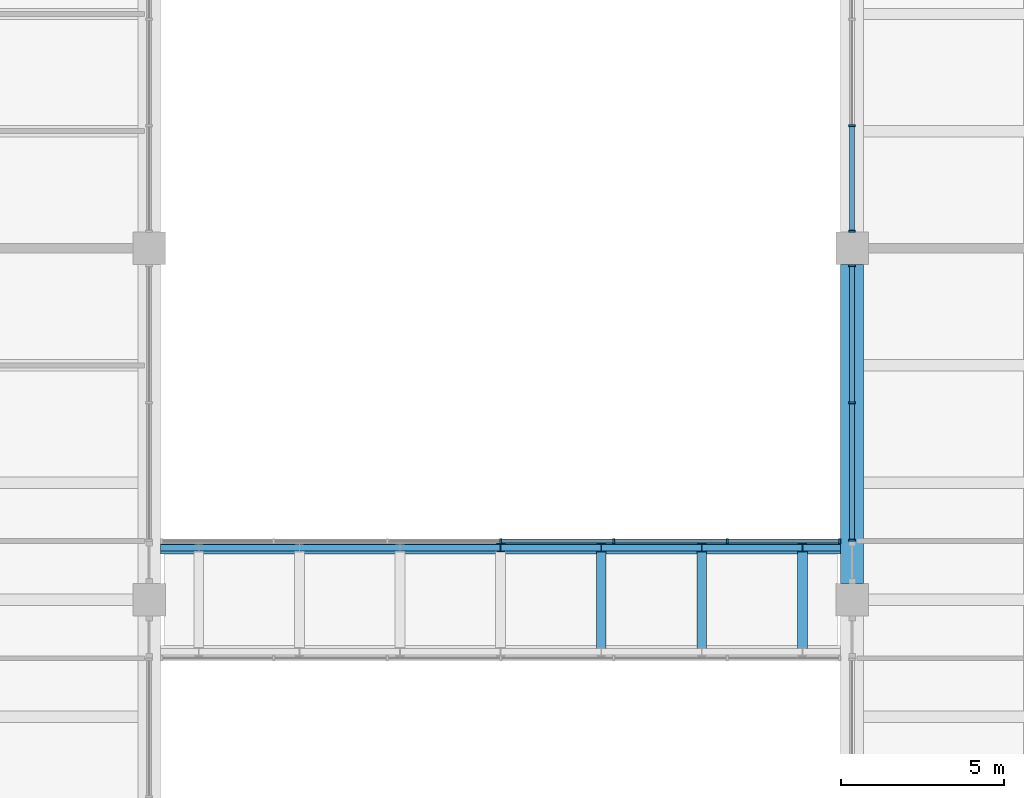
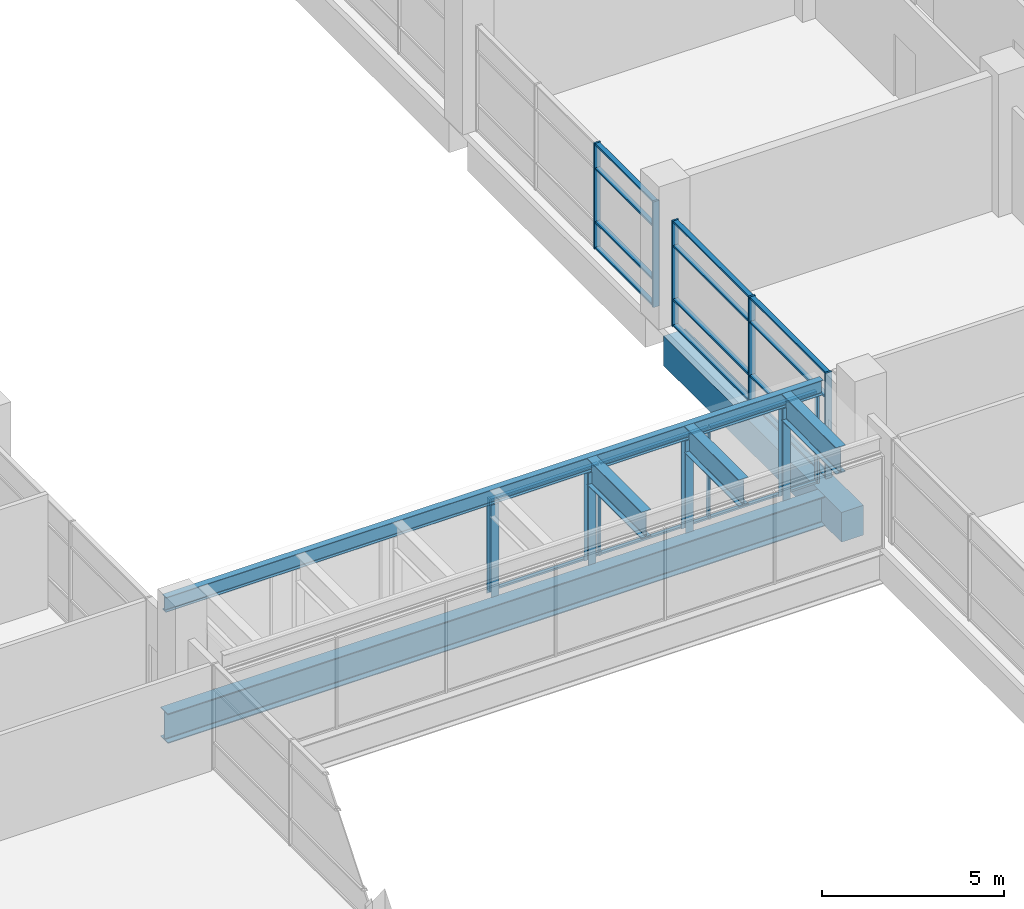
# One storey, part 13 of 35: 35 members, 2 beams, 3 elements without a shape of their own.
"""IFC4 building model written with IfcOpenShell, lengths in metres."""

from ifc_helpers import new_model, si_unit, direction, frame, origin, origin_2d, place, context, subcontext, project, spatial, rectangle, i_section, extrude, material, layer, layer_set, material_profile, profile_set, type_object, element, aggregate, save


model = new_model("IFC4")

# Units and contexts
model_context = context("Model", 3, precision=1e-05, world=origin(), true_north=direction((0.0, 1.0)))
body_context = subcontext(model_context, "Body", "Model", "MODEL_VIEW")
ifc_project = project(units=[si_unit("LENGTHUNIT", "METRE"), si_unit("AREAUNIT", "SQUARE_METRE"), si_unit("VOLUMEUNIT", "CUBIC_METRE"), si_unit("PLANEANGLEUNIT", "RADIAN"), si_unit("MASSUNIT", "GRAM", prefix="KILO")], contexts=[model_context])

# Site, building, storey
site_placement = place(None, origin())
site = spatial("IfcSite", under=ifc_project, at=site_placement, CompositionType="ELEMENT")
building_placement = place(site_placement, origin())
building = spatial("IfcBuilding", under=site, at=building_placement, Name="Basin Gate Institute", CompositionType="ELEMENT")
storey_placement = place(building_placement, frame((0.0, 0.0, 31.800048828125)))
storey = spatial("IfcBuildingStorey", under=building, at=storey_placement, Name="L06", CompositionType="ELEMENT", Elevation=31.800048828125)

# Curtain wall, members
ifc_material_1 = material(Name="Aluminium and glass curtain wall", Category="aluminium")
ifc_layer_1 = layer(ifc_material_1, 0.14990234375)
ifc_layer_set_1 = layer_set([ifc_layer_1], Name="Atrium curtain wall CW81")
curtain_wall_type_1 = type_object("IfcCurtainWallType", Name="Atrium curtain wall CW81", PredefinedType="NOTDEFINED", material=ifc_layer_set_1)
curtain_wall_1_placement = place(storey_placement, origin())
curtain_wall_1 = element("IfcCurtainWall", 1, at=curtain_wall_1_placement, inside=storey, type_object=curtain_wall_type_1, material=ifc_layer_set_1, Name="Bridge glazed enclosure L06 2", PredefinedType="NOTDEFINED")
ifc_material_2 = material(Name="Aluminium mullion", Category="aluminium")
ifc_material_profile_1 = material_profile(ifc_material_2, rectangle(XDim=0.159912109375, YDim=0.06005859375, at=origin_2d()), Name="Atrium mullion MU81 160 x 60")
ifc_profile_set_1 = profile_set([ifc_material_profile_1], Name="Aluminium mullion")
member_type_1 = type_object("IfcMemberType", Name="Atrium mullion MU81", PredefinedType="MULLION", material=ifc_profile_set_1)
member_1_placement = place(storey_placement, frame((90.0, 69.300048828125, 0.0), z_axis=(0.0, 0.0, 1.0), x_axis=(0.0, 1.0, 0.0)))
member_1 = element("IfcMember", 2, at=member_1_placement, type_object=member_type_1, material=ifc_profile_set_1, Name="CW81 mullion 4", PredefinedType="MULLION", context=body_context, shape_type="SweptSolid", body=[
    extrude(rectangle(XDim=0.159912109375, YDim=0.06005859375, at=origin_2d()), origin(), (0.0, 0.0, 1.0), 3.099853515625),
])
member_2_placement = place(storey_placement, frame((93.4833984375, 69.300048828125, 0.0), z_axis=(0.0, 0.0, 1.0), x_axis=(0.0, 1.0, 0.0)))
member_2 = element("IfcMember", 3, at=member_2_placement, type_object=member_type_1, material=ifc_profile_set_1, Name="CW81 mullion 5", PredefinedType="MULLION", context=body_context, shape_type="SweptSolid", body=[
    extrude(rectangle(XDim=0.159912109375, YDim=0.06005859375, at=origin_2d()), origin(), (0.0, 0.0, 1.0), 3.099853515625),
])
member_3_placement = place(storey_placement, frame((96.966552734375, 69.300048828125, 0.0), z_axis=(0.0, 0.0, 1.0), x_axis=(0.0, 1.0, 0.0)))
member_3 = element("IfcMember", 4, at=member_3_placement, type_object=member_type_1, material=ifc_profile_set_1, Name="CW81 mullion 6", PredefinedType="MULLION", context=body_context, shape_type="SweptSolid", body=[
    extrude(rectangle(XDim=0.159912109375, YDim=0.06005859375, at=origin_2d()), origin(), (0.0, 0.0, 1.0), 3.099853515625),
])
member_4_placement = place(storey_placement, frame((100.419921875, 69.300048828125, 0.0), z_axis=(0.0, 0.0, 1.0), x_axis=(0.0, 1.0, 0.0)))
member_4 = element("IfcMember", 5, at=member_4_placement, type_object=member_type_1, material=ifc_profile_set_1, Name="CW81 mullion 7", PredefinedType="MULLION", context=body_context, shape_type="SweptSolid", body=[
    extrude(rectangle(XDim=0.159912109375, YDim=0.06005859375, at=origin_2d()), origin(), (0.0, 0.0, 1.0), 3.099853515625),
])
ifc_material_3 = material(Name="Aluminium transom", Category="aluminium")
ifc_material_profile_2 = material_profile(ifc_material_3, rectangle(XDim=0.1201171875, YDim=0.06005859375, at=origin_2d()), Name="Atrium transom TR81 120 x 60")
ifc_profile_set_2 = profile_set([ifc_material_profile_2], Name="Aluminium transom")
member_type_2 = type_object("IfcMemberType", Name="Atrium transom TR81", PredefinedType="USERDEFINED", material=ifc_profile_set_2)
member_5_placement = place(storey_placement, frame((90.030029296875, 69.300048828125, 0.030029296875), z_axis=(1.0, 0.0, 0.0), x_axis=(0.0, 1.0, 0.0)))
member_5 = element("IfcMember", 6, at=member_5_placement, type_object=member_type_2, material=ifc_profile_set_2, Name="CW81 transom 4.1", ObjectType="TRANSOM", PredefinedType="USERDEFINED", context=body_context, shape_type="SweptSolid", body=[
    extrude(rectangle(XDim=0.1201171875, YDim=0.06005859375, at=origin_2d()), origin(), (0.0, 0.0, 1.0), 3.42333984375),
])
member_6_placement = place(storey_placement, frame((90.030029296875, 69.300048828125, 3.070068359375), z_axis=(1.0, 0.0, 0.0), x_axis=(0.0, 1.0, 0.0)))
member_6 = element("IfcMember", 7, at=member_6_placement, type_object=member_type_2, material=ifc_profile_set_2, Name="CW81 transom 4.2", ObjectType="TRANSOM", PredefinedType="USERDEFINED", context=body_context, shape_type="SweptSolid", body=[
    extrude(rectangle(XDim=0.1201171875, YDim=0.06005859375, at=origin_2d()), origin(), (0.0, 0.0, 1.0), 3.42333984375),
])
member_7_placement = place(storey_placement, frame((93.513427734375, 69.300048828125, 0.030029296875), z_axis=(1.0, 0.0, 0.0), x_axis=(0.0, 1.0, 0.0)))
member_7 = element("IfcMember", 8, at=member_7_placement, type_object=member_type_2, material=ifc_profile_set_2, Name="CW81 transom 5.1", ObjectType="TRANSOM", PredefinedType="USERDEFINED", context=body_context, shape_type="SweptSolid", body=[
    extrude(rectangle(XDim=0.1201171875, YDim=0.06005859375, at=origin_2d()), origin(), (0.0, 0.0, 1.0), 3.42333984375),
])
member_8_placement = place(storey_placement, frame((93.513427734375, 69.300048828125, 3.070068359375), z_axis=(1.0, 0.0, 0.0), x_axis=(0.0, 1.0, 0.0)))
member_8 = element("IfcMember", 9, at=member_8_placement, type_object=member_type_2, material=ifc_profile_set_2, Name="CW81 transom 5.2", ObjectType="TRANSOM", PredefinedType="USERDEFINED", context=body_context, shape_type="SweptSolid", body=[
    extrude(rectangle(XDim=0.1201171875, YDim=0.06005859375, at=origin_2d()), origin(), (0.0, 0.0, 1.0), 3.42333984375),
])
member_9_placement = place(storey_placement, frame((96.99658203125, 69.300048828125, 0.030029296875), z_axis=(1.0, 0.0, 0.0), x_axis=(0.0, 1.0, 0.0)))
member_9 = element("IfcMember", 10, at=member_9_placement, type_object=member_type_2, material=ifc_profile_set_2, Name="CW81 transom 6.1", ObjectType="TRANSOM", PredefinedType="USERDEFINED", context=body_context, shape_type="SweptSolid", body=[
    extrude(rectangle(XDim=0.1201171875, YDim=0.06005859375, at=origin_2d()), origin(), (0.0, 0.0, 1.0), 3.393310546875),
])
member_10_placement = place(storey_placement, frame((96.99658203125, 69.300048828125, 3.070068359375), z_axis=(1.0, 0.0, 0.0), x_axis=(0.0, 1.0, 0.0)))
member_10 = element("IfcMember", 11, at=member_10_placement, type_object=member_type_2, material=ifc_profile_set_2, Name="CW81 transom 6.2", ObjectType="TRANSOM", PredefinedType="USERDEFINED", context=body_context, shape_type="SweptSolid", body=[
    extrude(rectangle(XDim=0.1201171875, YDim=0.06005859375, at=origin_2d()), origin(), (0.0, 0.0, 1.0), 3.393310546875),
])
aggregate(curtain_wall_1, [member_1, member_2, member_3, member_4, member_5, member_6, member_7, member_8, member_9, member_10])

# Beam
ifc_material_4 = material(Name="Structural steel SN490", Category="steel")
ifc_material_profile_3 = material_profile(ifc_material_4, i_section(OverallWidth=0.39990234375, OverallDepth=1.0, WebThickness=0.01904296875, FlangeThickness=0.031982421875, FilletRadius=0.030029296875, at=origin_2d()), Name="H1000x400")
ifc_profile_set_3 = profile_set([ifc_material_profile_3], Name="Structural steel SN490")
beam_type_1 = type_object("IfcBeamType", Name="Bridge girder SG3 R120", PredefinedType="BEAM", material=ifc_profile_set_3)
beam_1_placement = place(storey_placement, frame((79.550048828125, 69.10009765625, -0.75), z_axis=(1.0, 0.0, 0.0), x_axis=(0.0, 1.0, 0.0)))
element("IfcBeam", 12, at=beam_1_placement, inside=storey, type_object=beam_type_1, material=ifc_profile_set_3, Name="Bridge floor girder R120 L06 2", PredefinedType="BEAM", context=body_context, shape_type="SweptSolid", body=[
    extrude(i_section(OverallWidth=0.39990234375, OverallDepth=1.0, WebThickness=0.01904296875, FlangeThickness=0.031982421875, FilletRadius=0.030029296875, at=origin_2d()), origin(), (0.0, 0.0, 1.0), 20.89990234375),
])

# Members
ifc_material_5 = material(Name="Structural steel SN490", Category="steel")
ifc_material_profile_4 = material_profile(ifc_material_5, i_section(OverallWidth=0.25, OverallDepth=0.25, WebThickness=0.009033203125, FlangeThickness=0.013916015625, FilletRadius=0.01611328125, at=origin_2d()), Name="H250x250")
ifc_profile_set_4 = profile_set([ifc_material_profile_4], Name="Structural steel SN490")
member_type_3 = type_object("IfcMemberType", Name="Bridge post TC3 R120", PredefinedType="POST", material=ifc_profile_set_4)
for number, where, z_axis, x_axis, name in (
    (13, (90.0, 69.10009765625, 0.0), (0.0, 0.0, 1.0), (1.0, 0.0, 0.0), "Bridge post R120 L06 2.4"),
    (14, (93.091552734375, 69.10009765625, 0.0), (0.0, 0.0, 1.0), (1.0, 0.0, 0.0), "Bridge post R120 L06 2.5"),
    (15, (96.183349609375, 69.10009765625, 0.0), (0.0, 0.0, 1.0), (1.0, 0.0, 0.0), "Bridge post R120 L06 2.6"),
    (16, (99.27490234375, 69.10009765625, 0.0), (0.0, 0.0, 1.0), (1.0, 0.0, 0.0), "Bridge post R120 L06 2.7"),
):
    element("IfcMember", number, at=place(storey_placement, frame(where, z_axis=z_axis, x_axis=x_axis)), inside=storey, type_object=member_type_3, material=ifc_profile_set_4, Name=name, PredefinedType="POST", context=body_context, shape_type="SweptSolid", body=[
        extrude(i_section(OverallWidth=0.25, OverallDepth=0.25, WebThickness=0.009033203125, FlangeThickness=0.013916015625, FilletRadius=0.01611328125, at=origin_2d()), origin(), (0.0, 0.0, 1.0), 3.099853515625),
    ])
ifc_material_6 = material(Name="Structural steel SN490", Category="steel")
ifc_material_profile_5 = material_profile(ifc_material_6, i_section(OverallWidth=0.300048828125, OverallDepth=0.89990234375, WebThickness=0.01611328125, FlangeThickness=0.028076171875, FilletRadius=0.028076171875, at=origin_2d()), Name="H900x300")
ifc_profile_set_5 = profile_set([ifc_material_profile_5], Name="Structural steel SN490")
member_type_4 = type_object("IfcMemberType", Name="Bridge roof beam SG1 R120", PredefinedType="PURLIN", material=ifc_profile_set_5)
for number, where, z_axis, x_axis, name in (
    (17, (93.091552734375, 66.0, 3.14990234375), (0.0, 1.0, 0.0), (-1.0, 0.0, 0.0), "Bridge roof beam L06 5"),
    (18, (96.183349609375, 66.0, 3.14990234375), (0.0, 1.0, 0.0), (-1.0, 0.0, 0.0), "Bridge roof beam L06 6"),
    (19, (99.27490234375, 66.0, 3.14990234375), (0.0, 1.0, 0.0), (-1.0, 0.0, 0.0), "Bridge roof beam L06 7"),
):
    element("IfcMember", number, at=place(storey_placement, frame(where, z_axis=z_axis, x_axis=x_axis)), inside=storey, type_object=member_type_4, material=ifc_profile_set_5, Name=name, PredefinedType="PURLIN", context=body_context, shape_type="SweptSolid", body=[
        extrude(i_section(OverallWidth=0.300048828125, OverallDepth=0.89990234375, WebThickness=0.01611328125, FlangeThickness=0.028076171875, FilletRadius=0.028076171875, at=origin_2d()), origin(), (0.0, 0.0, 1.0), 3.0),
    ])

# Beam
ifc_material_7 = material(Name="Concrete 50 MPa", Category="concrete")
ifc_material_profile_6 = material_profile(ifc_material_7, rectangle(XDim=0.699951171875, YDim=1.0, at=origin_2d()), Name="Girder G1 700 x 1000")
ifc_profile_set_6 = profile_set([ifc_material_profile_6], Name="Concrete 50 MPa")
beam_type_2 = type_object("IfcBeamType", Name="Girder G1 R120", PredefinedType="BEAM", material=ifc_profile_set_6)
beam_2_placement = place(storey_placement, frame((100.800048828125, 68.0, -0.75), z_axis=(0.0, 1.0, 0.0), x_axis=(-1.0, 0.0, 0.0)))
element("IfcBeam", 20, at=beam_2_placement, inside=storey, type_object=beam_type_2, material=ifc_profile_set_6, Name="GIR/L06/E7/4", PredefinedType="BEAM", context=body_context, shape_type="SweptSolid", body=[
    extrude(rectangle(XDim=0.699951171875, YDim=1.0, at=origin_2d()), origin(), (0.0, 0.0, 1.0), 9.800048828125),
])

# Curtain wall, members
ifc_material_8 = material(Name="Aluminium-framed glazing", Category="aluminium")
ifc_layer_2 = layer(ifc_material_8, 0.199951171875)
ifc_layer_set_2 = layer_set([ifc_layer_2], Name="Atrium curtain wall CW2")
curtain_wall_type_2 = type_object("IfcCurtainWallType", Name="Atrium curtain wall CW2", PredefinedType="NOTDEFINED", material=ifc_layer_set_2)
curtain_wall_2_placement = place(storey_placement, origin())
curtain_wall_2 = element("IfcCurtainWall", 21, at=curtain_wall_2_placement, inside=storey, type_object=curtain_wall_type_2, material=ifc_layer_set_2, Name="Atrium curtain wall E wing atrium bay 4 L06 part 1", PredefinedType="NOTDEFINED")
ifc_material_9 = material(Name="Aluminium", Category="aluminium")
ifc_material_profile_7 = material_profile(ifc_material_9, rectangle(XDim=0.199951171875, YDim=0.06005859375, at=origin_2d()), Name="Mullion MU2 200 x 60")
ifc_profile_set_7 = profile_set([ifc_material_profile_7], Name="Aluminium")
member_type_5 = type_object("IfcMemberType", Name="Mullion MU2", PredefinedType="MULLION", material=ifc_profile_set_7)
member_11_placement = place(storey_placement, frame((100.800048828125, 69.330078125, 0.0), z_axis=(0.0, 0.0, 1.0), x_axis=(-1.0, 0.0, 0.0)))
member_11 = element("IfcMember", 22, at=member_11_placement, type_object=member_type_5, material=ifc_profile_set_7, Name="CW2 mullion 1", PredefinedType="MULLION", context=body_context, shape_type="SweptSolid", body=[
    extrude(rectangle(XDim=0.199951171875, YDim=0.06005859375, at=origin_2d()), origin(), (0.0, 0.0, 1.0), 3.550048828125),
])
member_12_placement = place(storey_placement, frame((100.800048828125, 73.550048828125, 0.0), z_axis=(0.0, 0.0, 1.0), x_axis=(-1.0, 0.0, 0.0)))
member_12 = element("IfcMember", 23, at=member_12_placement, type_object=member_type_5, material=ifc_profile_set_7, Name="CW2 mullion 2", PredefinedType="MULLION", context=body_context, shape_type="SweptSolid", body=[
    extrude(rectangle(XDim=0.199951171875, YDim=0.06005859375, at=origin_2d()), origin(), (0.0, 0.0, 1.0), 3.550048828125),
])
member_13_placement = place(storey_placement, frame((100.800048828125, 77.77001953125, 0.0), z_axis=(0.0, 0.0, 1.0), x_axis=(-1.0, 0.0, 0.0)))
member_13 = element("IfcMember", 24, at=member_13_placement, type_object=member_type_5, material=ifc_profile_set_7, Name="CW2 mullion 3", PredefinedType="MULLION", context=body_context, shape_type="SweptSolid", body=[
    extrude(rectangle(XDim=0.199951171875, YDim=0.06005859375, at=origin_2d()), origin(), (0.0, 0.0, 1.0), 3.550048828125),
])

curtain_wall_3_placement = place(storey_placement, origin())
curtain_wall_3 = element("IfcCurtainWall", 25, at=curtain_wall_3_placement, inside=storey, type_object=curtain_wall_type_2, material=ifc_layer_set_2, Name="Atrium curtain wall E wing atrium bay 5 L06", PredefinedType="NOTDEFINED")
member_14_placement = place(storey_placement, frame((100.800048828125, 78.830078125, 0.0), z_axis=(0.0, 0.0, 1.0), x_axis=(-1.0, 0.0, 0.0)))
member_14 = element("IfcMember", 26, at=member_14_placement, type_object=member_type_5, material=ifc_profile_set_7, Name="CW2 mullion 1", PredefinedType="MULLION", context=body_context, shape_type="SweptSolid", body=[
    extrude(rectangle(XDim=0.199951171875, YDim=0.06005859375, at=origin_2d()), origin(), (0.0, 0.0, 1.0), 3.550048828125),
])
member_15_placement = place(storey_placement, frame((100.800048828125, 82.066650390625, 0.0), z_axis=(0.0, 0.0, 1.0), x_axis=(-1.0, 0.0, 0.0)))
member_15 = element("IfcMember", 27, at=member_15_placement, type_object=member_type_5, material=ifc_profile_set_7, Name="CW2 mullion 2", PredefinedType="MULLION", context=body_context, shape_type="SweptSolid", body=[
    extrude(rectangle(XDim=0.199951171875, YDim=0.06005859375, at=origin_2d()), origin(), (0.0, 0.0, 1.0), 3.550048828125),
])

# Member
ifc_material_10 = material(Name="Structural steel SN490", Category="steel")
ifc_material_profile_8 = material_profile(ifc_material_10, i_section(OverallWidth=0.199951171875, OverallDepth=0.5, WebThickness=0.010009765625, FlangeThickness=0.01611328125, FilletRadius=0.02001953125, at=origin_2d()), Name="H500x200")
ifc_profile_set_8 = profile_set([ifc_material_profile_8], Name="Structural steel SN490")
member_type_6 = type_object("IfcMemberType", Name="Roof purlin SB1 R120", PredefinedType="PURLIN", material=ifc_profile_set_8)
member_16_placement = place(storey_placement, frame((79.550048828125, 69.10009765625, 3.349853515625), z_axis=(1.0, 0.0, 0.0), x_axis=(0.0, 1.0, 0.0)))
element("IfcMember", 28, at=member_16_placement, inside=storey, type_object=member_type_6, material=ifc_profile_set_8, Name="Bridge edge beam L06 2", PredefinedType="PURLIN", context=body_context, shape_type="SweptSolid", body=[
    extrude(i_section(OverallWidth=0.199951171875, OverallDepth=0.5, WebThickness=0.010009765625, FlangeThickness=0.01611328125, FilletRadius=0.02001953125, at=origin_2d()), origin(), (0.0, 0.0, 1.0), 20.89990234375),
])

ifc_material_11 = material(Name="Aluminium", Category="aluminium")
ifc_material_profile_9 = material_profile(ifc_material_11, rectangle(XDim=0.14990234375, YDim=0.06005859375, at=origin_2d()), Name="Transom TR2 150 x 60")
ifc_profile_set_9 = profile_set([ifc_material_profile_9], Name="Aluminium")
member_type_7 = type_object("IfcMemberType", Name="Transom TR2", PredefinedType="USERDEFINED", material=ifc_profile_set_9)
member_17_placement = place(storey_placement, frame((100.800048828125, 69.360107421875, 0.030029296875), z_axis=(0.0, 1.0, 0.0), x_axis=(-1.0, 0.0, 0.0)))
member_17 = element("IfcMember", 29, at=member_17_placement, type_object=member_type_7, material=ifc_profile_set_9, Name="CW2 transom 1.1", ObjectType="TRANSOM", PredefinedType="USERDEFINED", context=body_context, shape_type="SweptSolid", body=[
    extrude(rectangle(XDim=0.14990234375, YDim=0.06005859375, at=origin_2d()), origin(), (0.0, 0.0, 1.0), 4.159912109375),
])

member_18_placement = place(storey_placement, frame((100.800048828125, 69.360107421875, 0.89990234375), z_axis=(0.0, 1.0, 0.0), x_axis=(-1.0, 0.0, 0.0)))
member_18 = element("IfcMember", 30, at=member_18_placement, type_object=member_type_7, material=ifc_profile_set_9, Name="CW2 transom 1.2", ObjectType="TRANSOM", PredefinedType="USERDEFINED", context=body_context, shape_type="SweptSolid", body=[
    extrude(rectangle(XDim=0.14990234375, YDim=0.06005859375, at=origin_2d()), origin(), (0.0, 0.0, 1.0), 4.159912109375),
])

member_19_placement = place(storey_placement, frame((100.800048828125, 69.360107421875, 2.699951171875), z_axis=(0.0, 1.0, 0.0), x_axis=(-1.0, 0.0, 0.0)))
member_19 = element("IfcMember", 31, at=member_19_placement, type_object=member_type_7, material=ifc_profile_set_9, Name="CW2 transom 1.3", ObjectType="TRANSOM", PredefinedType="USERDEFINED", context=body_context, shape_type="SweptSolid", body=[
    extrude(rectangle(XDim=0.14990234375, YDim=0.06005859375, at=origin_2d()), origin(), (0.0, 0.0, 1.0), 4.159912109375),
])

member_20_placement = place(storey_placement, frame((100.800048828125, 69.360107421875, 3.52001953125), z_axis=(0.0, 1.0, 0.0), x_axis=(-1.0, 0.0, 0.0)))
member_20 = element("IfcMember", 32, at=member_20_placement, type_object=member_type_7, material=ifc_profile_set_9, Name="CW2 transom 1.4", ObjectType="TRANSOM", PredefinedType="USERDEFINED", context=body_context, shape_type="SweptSolid", body=[
    extrude(rectangle(XDim=0.14990234375, YDim=0.06005859375, at=origin_2d()), origin(), (0.0, 0.0, 1.0), 4.159912109375),
])

member_21_placement = place(storey_placement, frame((100.800048828125, 73.580078125, 0.030029296875), z_axis=(0.0, 1.0, 0.0), x_axis=(-1.0, 0.0, 0.0)))
member_21 = element("IfcMember", 33, at=member_21_placement, type_object=member_type_7, material=ifc_profile_set_9, Name="CW2 transom 2.1", ObjectType="TRANSOM", PredefinedType="USERDEFINED", context=body_context, shape_type="SweptSolid", body=[
    extrude(rectangle(XDim=0.14990234375, YDim=0.06005859375, at=origin_2d()), origin(), (0.0, 0.0, 1.0), 4.159912109375),
])

member_22_placement = place(storey_placement, frame((100.800048828125, 73.580078125, 0.89990234375), z_axis=(0.0, 1.0, 0.0), x_axis=(-1.0, 0.0, 0.0)))
member_22 = element("IfcMember", 34, at=member_22_placement, type_object=member_type_7, material=ifc_profile_set_9, Name="CW2 transom 2.2", ObjectType="TRANSOM", PredefinedType="USERDEFINED", context=body_context, shape_type="SweptSolid", body=[
    extrude(rectangle(XDim=0.14990234375, YDim=0.06005859375, at=origin_2d()), origin(), (0.0, 0.0, 1.0), 4.159912109375),
])

member_23_placement = place(storey_placement, frame((100.800048828125, 73.580078125, 2.699951171875), z_axis=(0.0, 1.0, 0.0), x_axis=(-1.0, 0.0, 0.0)))
member_23 = element("IfcMember", 35, at=member_23_placement, type_object=member_type_7, material=ifc_profile_set_9, Name="CW2 transom 2.3", ObjectType="TRANSOM", PredefinedType="USERDEFINED", context=body_context, shape_type="SweptSolid", body=[
    extrude(rectangle(XDim=0.14990234375, YDim=0.06005859375, at=origin_2d()), origin(), (0.0, 0.0, 1.0), 4.159912109375),
])

member_24_placement = place(storey_placement, frame((100.800048828125, 73.580078125, 3.52001953125), z_axis=(0.0, 1.0, 0.0), x_axis=(-1.0, 0.0, 0.0)))
member_24 = element("IfcMember", 36, at=member_24_placement, type_object=member_type_7, material=ifc_profile_set_9, Name="CW2 transom 2.4", ObjectType="TRANSOM", PredefinedType="USERDEFINED", context=body_context, shape_type="SweptSolid", body=[
    extrude(rectangle(XDim=0.14990234375, YDim=0.06005859375, at=origin_2d()), origin(), (0.0, 0.0, 1.0), 4.159912109375),
])

aggregate(curtain_wall_2, [member_11, member_12, member_13, member_17, member_18, member_19, member_20, member_21, member_22, member_23, member_24])

member_25_placement = place(storey_placement, frame((100.800048828125, 78.860107421875, 0.030029296875), z_axis=(0.0, 1.0, 0.0), x_axis=(-1.0, 0.0, 0.0)))
member_25 = element("IfcMember", 37, at=member_25_placement, type_object=member_type_7, material=ifc_profile_set_9, Name="CW2 transom 1.1", ObjectType="TRANSOM", PredefinedType="USERDEFINED", context=body_context, shape_type="SweptSolid", body=[
    extrude(rectangle(XDim=0.14990234375, YDim=0.06005859375, at=origin_2d()), origin(), (0.0, 0.0, 1.0), 3.176513671875),
])

member_26_placement = place(storey_placement, frame((100.800048828125, 78.860107421875, 0.89990234375), z_axis=(0.0, 1.0, 0.0), x_axis=(-1.0, 0.0, 0.0)))
member_26 = element("IfcMember", 38, at=member_26_placement, type_object=member_type_7, material=ifc_profile_set_9, Name="CW2 transom 1.2", ObjectType="TRANSOM", PredefinedType="USERDEFINED", context=body_context, shape_type="SweptSolid", body=[
    extrude(rectangle(XDim=0.14990234375, YDim=0.06005859375, at=origin_2d()), origin(), (0.0, 0.0, 1.0), 3.176513671875),
])

member_27_placement = place(storey_placement, frame((100.800048828125, 78.860107421875, 2.699951171875), z_axis=(0.0, 1.0, 0.0), x_axis=(-1.0, 0.0, 0.0)))
member_27 = element("IfcMember", 39, at=member_27_placement, type_object=member_type_7, material=ifc_profile_set_9, Name="CW2 transom 1.3", ObjectType="TRANSOM", PredefinedType="USERDEFINED", context=body_context, shape_type="SweptSolid", body=[
    extrude(rectangle(XDim=0.14990234375, YDim=0.06005859375, at=origin_2d()), origin(), (0.0, 0.0, 1.0), 3.176513671875),
])

member_28_placement = place(storey_placement, frame((100.800048828125, 78.860107421875, 3.52001953125), z_axis=(0.0, 1.0, 0.0), x_axis=(-1.0, 0.0, 0.0)))
member_28 = element("IfcMember", 40, at=member_28_placement, type_object=member_type_7, material=ifc_profile_set_9, Name="CW2 transom 1.4", ObjectType="TRANSOM", PredefinedType="USERDEFINED", context=body_context, shape_type="SweptSolid", body=[
    extrude(rectangle(XDim=0.14990234375, YDim=0.06005859375, at=origin_2d()), origin(), (0.0, 0.0, 1.0), 3.176513671875),
])

aggregate(curtain_wall_3, [member_14, member_15, member_25, member_26, member_27, member_28])

save(model, "model.ifc")
